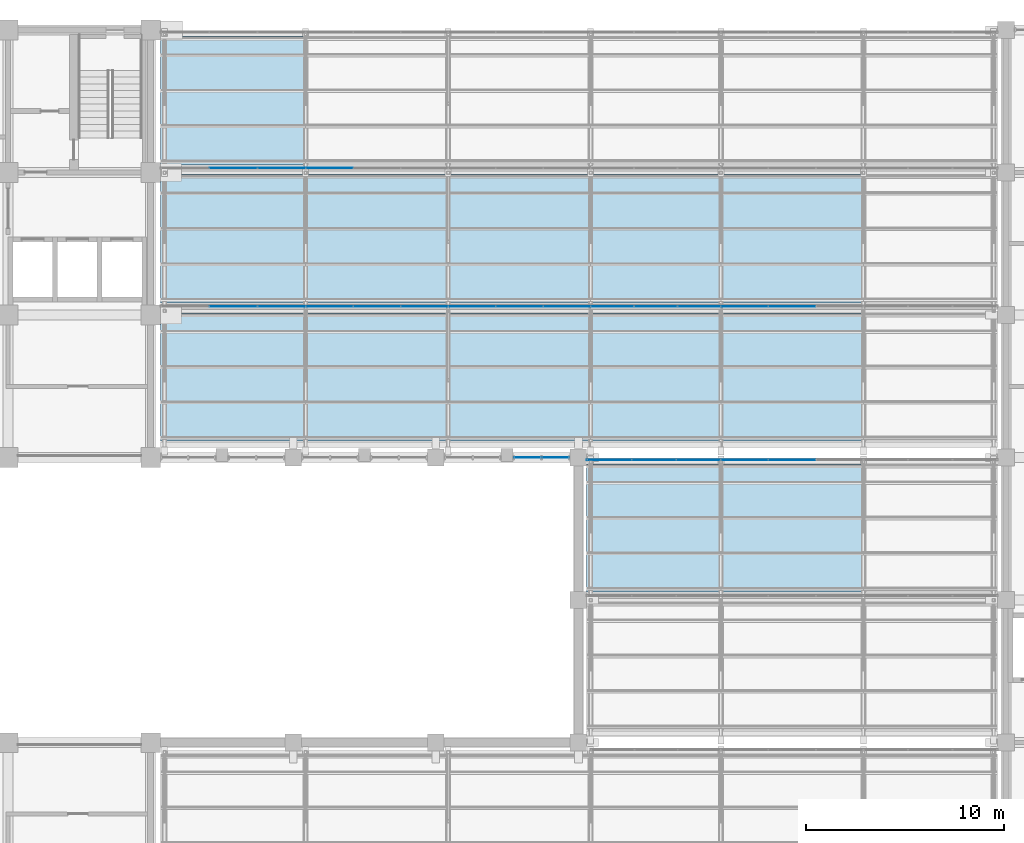
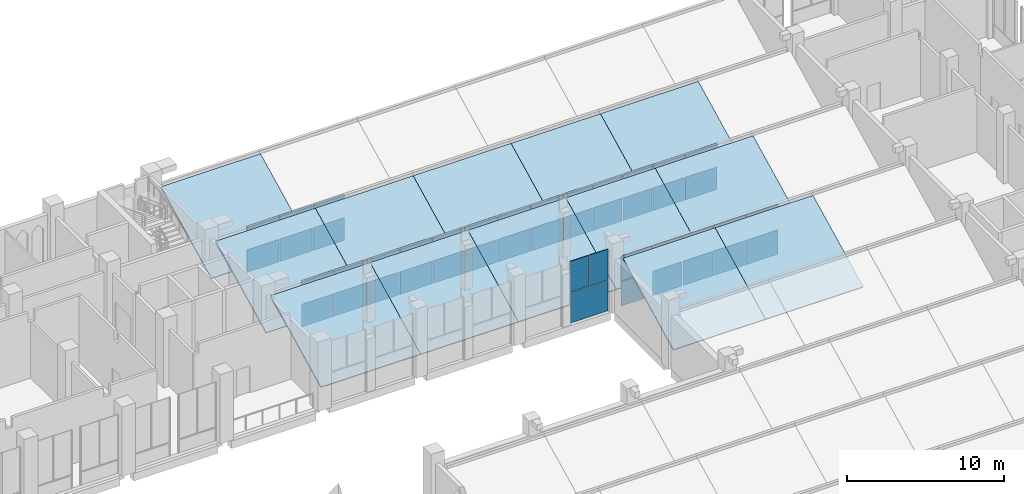
# One storey, part 64 of 83: 45 plates, 13 slabs, 10 elements without a shape of their own.
"""IFC4 building model written with IfcOpenShell, lengths in metres."""

import ifcopenshell
import ifcopenshell.guid

model = None  # the IFC model being written
_history = None  # IfcOwnerHistory: only IFC2X3 demands one
_inside = {}  # id of a spatial element -> (the spatial element, [elements in it])
_under = {}  # id of a project, library or spatial element -> (it, [spatial elements below it])
_declared = {}  # id of a project -> (the project, [libraries it declares])
_typed = {}  # id of a type object -> (the type object, [elements of that type])
_made_of = {}  # id of a material, layer set ... -> (it, [elements and type objects made of it])


def new_model(schema):
    """Start an empty IFC model of exactly this schema.

    Asked for "IFC4X3", IfcOpenShell would pick the latest addendum, in which some entities
    have other attributes; the version numbers below select the first issue.
    IFC2X3 requires an IfcOwnerHistory on every rooted entity: one is made here for all.
    """
    global model, _history
    if schema == "IFC4X3":
        model = ifcopenshell.file(schema_version=(4, 3, 0, 0))
    else:
        model = ifcopenshell.file(schema=schema)
    _inside.clear()
    _under.clear()
    _declared.clear()
    _typed.clear()
    _made_of.clear()
    _history = None
    if model.schema == "IFC2X3":
        org = make("IfcOrganization", Name="unknown")
        user = make(
            "IfcPersonAndOrganization",
            ThePerson=make("IfcPerson", FamilyName="unknown"),
            TheOrganization=org,
        )
        app = make(
            "IfcApplication",
            ApplicationDeveloper=org,
            Version="unknown",
            ApplicationFullName="unknown",
            ApplicationIdentifier="unknown",
        )
        _history = make(
            "IfcOwnerHistory",
            OwningUser=user,
            OwningApplication=app,
            ChangeAction="ADDED",
            CreationDate=0,
        )
    return model


def make(cls, **values):
    """One entity of the class cls with the attributes given. An attribute that is None is left unset."""
    return model.create_entity(
        cls, **{name: value for name, value in values.items() if value is not None}
    )


def rooted(cls, **values):
    """An entity with a GlobalId (a new one), such as an element, a storey or a relation."""
    return make(cls, GlobalId=ifcopenshell.guid.new(), OwnerHistory=_history, **values)


def si_unit(unit_type, name, prefix=None):
    """IfcSIUnit, for example si_unit("LENGTHUNIT", "METRE", prefix="MILLI")."""
    return make("IfcSIUnit", UnitType=unit_type, Prefix=prefix, Name=name)


def assignment(units):
    """IfcUnitAssignment: the units of a project."""
    return None if units is None else make("IfcUnitAssignment", Units=units)


def point(xyz):
    """IfcCartesianPoint."""
    return None if xyz is None else make("IfcCartesianPoint", Coordinates=xyz)


def direction(xyz):
    """IfcDirection."""
    return None if xyz is None else make("IfcDirection", DirectionRatios=xyz)


def frame(location, z_axis=None, x_axis=None):
    """IfcAxis2Placement3D, a coordinate frame: its origin and axes. An axis left out is left unset."""
    return make(
        "IfcAxis2Placement3D",
        Location=point(location),
        Axis=direction(z_axis),
        RefDirection=direction(x_axis),
    )


def frame_2d(location, x_axis=None):
    """IfcAxis2Placement2D, a coordinate frame in the plane: its origin and x axis."""
    return make(
        "IfcAxis2Placement2D", Location=point(location), RefDirection=direction(x_axis)
    )


def origin():
    """The frame at (0, 0, 0) with its axes left unset."""
    return frame((0.0, 0.0, 0.0))


def origin_2d():
    """The frame at (0, 0) in the plane with its x axis left unset."""
    return frame_2d((0.0, 0.0))


def place(relative_to, where):
    """IfcLocalPlacement: puts the frame where relative to a parent placement (None: the world)."""
    return make(
        "IfcLocalPlacement", PlacementRelTo=relative_to, RelativePlacement=where
    )


def context(
    kind, dimensions, precision=None, world=None, true_north=None, identifier=None
):
    """IfcGeometricRepresentationContext, for example the 3D "Model" context."""
    return make(
        "IfcGeometricRepresentationContext",
        ContextIdentifier=identifier,
        ContextType=kind,
        CoordinateSpaceDimension=dimensions,
        Precision=precision,
        WorldCoordinateSystem=world,
        TrueNorth=true_north,
    )


def subcontext(parent, identifier, kind, view, scale=None):
    """IfcGeometricRepresentationSubContext, for example "Body" below "Model"."""
    return make(
        "IfcGeometricRepresentationSubContext",
        ContextIdentifier=identifier,
        ContextType=kind,
        ParentContext=parent,
        TargetScale=scale,
        TargetView=view,
    )


def project(units=None, contexts=None):
    """IfcProject with its units and contexts."""
    return rooted(
        "IfcProject",
        Name="project",
        RepresentationContexts=contexts,
        UnitsInContext=assignment(units),
    )


def spatial(cls, under=None, at=None, **own):
    """A site, building, storey or space (cls), placed at a placement, below another one or the project."""
    s = rooted(cls, ObjectPlacement=at, **own)
    if under is not None:
        _under.setdefault(under.id(), (under, []))[1].append(s)
    return s


def polyline(points):
    """IfcPolyline through the points."""
    return make("IfcPolyline", Points=[point(p) for p in points])


def profile(cls, at=None, kind="AREA", **sizes):
    """A parametric profile (cls). Its sizes go by their IFC names, for example OverallWidth=200.0."""
    return make(cls, ProfileType=kind, Position=at, **sizes)


def rectangle(**sizes):
    """IfcRectangleProfileDef."""
    return profile("IfcRectangleProfileDef", **sizes)


def outline(outer, holes=None, kind="AREA"):
    """IfcArbitraryClosedProfileDef: a profile drawn as a closed curve; with holes, ...WithVoids."""
    if holes is None:
        return make("IfcArbitraryClosedProfileDef", ProfileType=kind, OuterCurve=outer)
    return make(
        "IfcArbitraryProfileDefWithVoids",
        ProfileType=kind,
        OuterCurve=outer,
        InnerCurves=holes,
    )


def extrude(swept, where, along, depth):
    """IfcExtrudedAreaSolid: the profile swept, set in the frame where, extruded along a direction by depth."""
    return make(
        "IfcExtrudedAreaSolid",
        SweptArea=swept,
        Position=where,
        ExtrudedDirection=direction(along),
        Depth=depth,
    )


def shape(context_of_items, identifier, shape_type, items):
    """IfcShapeRepresentation: the items that make up one representation, for example the "Body"."""
    return make(
        "IfcShapeRepresentation",
        ContextOfItems=context_of_items,
        RepresentationIdentifier=identifier,
        RepresentationType=shape_type,
        Items=items,
    )


def material(Name=None, Category=None):
    """IfcMaterial."""
    return make("IfcMaterial", Name=Name, Category=Category)


def layer(
    of_material, thickness, ventilated=None, Name=None, Category=None, Priority=None
):
    """IfcMaterialLayer: one layer of a wall or slab, of a material (None: an air gap)."""
    return make(
        "IfcMaterialLayer",
        Material=of_material,
        LayerThickness=thickness,
        IsVentilated=ventilated,
        Name=Name,
        Category=Category,
        Priority=Priority,
    )


def layer_set(layers, Name=None):
    """IfcMaterialLayerSet."""
    return make("IfcMaterialLayerSet", MaterialLayers=layers, LayerSetName=Name)


def made_of(thing, what):
    """Note that an element or type object is made of a material, layer set ...; save() writes the relation."""
    if what is not None:
        _made_of.setdefault(what.id(), (what, []))[1].append(thing)
    return thing


def type_object(cls, material=None, **own):
    """A type object (cls), such as IfcWallType, which elements share."""
    return made_of(rooted(cls, **own), material)


def element(
    cls,
    number,
    at=None,
    inside=None,
    cuts=None,
    type_object=None,
    material=None,
    context=None,
    identifier="Body",
    shape_type=None,
    held_by="IfcProductDefinitionShape",
    body=None,
    shapes=None,
    **own,
):
    """One element of the class cls, such as IfcWall. Its Tag is "e" and its number.

    at: its placement. inside: the storey or other place that contains it. cuts: it is an
    opening in that element (IfcRelVoidsElement). A single representation is given by context,
    identifier, shape_type and body (its items); several are given by shapes. held_by: the class
    of the entity that holds the representations. save() writes the other relations.
    """
    e = rooted(cls, Tag="e%d" % number, ObjectPlacement=at, **own)
    if body is not None:
        shapes = [shape(context, identifier, shape_type, body)]
    if shapes is not None:
        e.Representation = make(held_by, Representations=shapes)
    if inside is not None:
        _inside.setdefault(inside.id(), (inside, []))[1].append(e)
    if cuts is not None:
        rooted(
            "IfcRelVoidsElement", RelatingBuildingElement=cuts, RelatedOpeningElement=e
        )
    if type_object is not None:
        _typed.setdefault(type_object.id(), (type_object, []))[1].append(e)
    return made_of(e, material)


def aggregate(whole, parts):
    """IfcRelAggregates: a whole, such as a stair, and the parts it consists of."""
    return rooted("IfcRelAggregates", RelatingObject=whole, RelatedObjects=parts)


def save(model, path):
    """Write the relations noted so far, then the file.

    IfcRelAggregates (storeys below a building ...), IfcRelContainedInSpatialStructure (elements
    in a storey), IfcRelDefinesByType, IfcRelAssociatesMaterial and IfcRelDeclares: one each for
    every whole, place, type object, material and project.
    """
    for whole, parts in _under.values():
        aggregate(whole, parts)
    for where, things in _inside.values():
        rooted(
            "IfcRelContainedInSpatialStructure",
            RelatedElements=things,
            RelatingStructure=where,
        )
    for kind, things in _typed.values():
        rooted("IfcRelDefinesByType", RelatedObjects=things, RelatingType=kind)
    for what, things in _made_of.values():
        rooted("IfcRelAssociatesMaterial", RelatedObjects=things, RelatingMaterial=what)
    for by, libraries in _declared.values():
        rooted("IfcRelDeclares", RelatingContext=by, RelatedDefinitions=libraries)
    model.write(path)


model = new_model("IFC4")

# Units and contexts
model_context = context("Model", 3, precision=1e-05, world=origin(), true_north=direction((0.0, 1.0)))
body_context = subcontext(model_context, "Body", "Model", "MODEL_VIEW")
ifc_project = project(units=[si_unit("LENGTHUNIT", "METRE"), si_unit("AREAUNIT", "SQUARE_METRE"), si_unit("VOLUMEUNIT", "CUBIC_METRE"), si_unit("PLANEANGLEUNIT", "RADIAN"), si_unit("MASSUNIT", "GRAM", prefix="KILO")], contexts=[model_context])

# Site, building, storey
site_placement = place(None, origin())
site = spatial("IfcSite", under=ifc_project, at=site_placement, CompositionType="ELEMENT")
building_placement = place(site_placement, origin())
building = spatial("IfcBuilding", under=site, at=building_placement, Name="Silangan Lancet Faculty of Sciences", CompositionType="ELEMENT")
storey_placement = place(building_placement, frame((0.0, 0.0, 11.39990234375)))
storey = spatial("IfcBuildingStorey", under=building, at=storey_placement, Name="L02", CompositionType="ELEMENT", Elevation=11.39990234375)

# Curtain wall, plates
ifc_material_1 = material(Name="Aluminium framed curtain wall with insulated glass", Category="aluminium")
curtain_wall_type_1 = type_object("IfcCurtainWallType", Name="CW5 Nave north light glazing", PredefinedType="NOTDEFINED", material=ifc_material_1)
curtain_wall_1_placement = place(storey_placement, origin())
curtain_wall_1 = element("IfcCurtainWall", 1, at=curtain_wall_1_placement, inside=storey, type_object=curtain_wall_type_1, Name="CW5 Nave north lights L02 bay 1", PredefinedType="NOTDEFINED")
ifc_material_2 = material(Name="Insulated glass unit 8+16+8 low-emissivity", Category="glass")
ifc_layer_1 = layer(ifc_material_2, 0.031982421875)
ifc_layer_set_1 = layer_set([ifc_layer_1], Name="Insulated glass unit 8+16+8 low-emissivity")
plate_type_1 = type_object("IfcPlateType", Name="CP1 Panel vision glass 32", PredefinedType="CURTAIN_PANEL", material=ifc_layer_set_1)
plate_1_placement = place(storey_placement, frame((48.53759765625, 36.0, 0.0), z_axis=(0.0, 0.0, 1.0), x_axis=(-1.0, 0.0, 0.0)))
plate_1 = element("IfcPlate", 2, at=plate_1_placement, type_object=plate_type_1, Name="CW5 Nave north lights L02 bay 1 panel 1", PredefinedType="CURTAIN_PANEL", context=body_context, shape_type="SweptSolid", body=[
    extrude(rectangle(XDim=2.7548828125, YDim=0.031982421875, at=origin_2d()), origin(), (0.0, 0.0, 1.0), 2.340087890625),
])
plate_2_placement = place(storey_placement, frame((49.2412109375, 36.0, 2.400146484375), z_axis=(0.0, 0.0, 1.0), x_axis=(-1.0, 0.0, 0.0)))
plate_2 = element("IfcPlate", 3, at=plate_2_placement, type_object=plate_type_1, Name="CW5 Nave north lights L02 bay 1 panel 2", PredefinedType="CURTAIN_PANEL", context=body_context, shape_type="SweptSolid", body=[
    extrude(rectangle(XDim=1.347412109375, YDim=0.031982421875, at=origin_2d()), origin(), (0.0, 0.0, 1.0), 2.39990234375),
])
plate_3_placement = place(storey_placement, frame((47.833740234375, 36.0, 2.400146484375), z_axis=(0.0, 0.0, 1.0), x_axis=(-1.0, 0.0, 0.0)))
plate_3 = element("IfcPlate", 4, at=plate_3_placement, type_object=plate_type_1, Name="CW5 Nave north lights L02 bay 1 panel 3", PredefinedType="CURTAIN_PANEL", context=body_context, shape_type="SweptSolid", body=[
    extrude(rectangle(XDim=1.347412109375, YDim=0.031982421875, at=origin_2d()), origin(), (0.0, 0.0, 1.0), 2.39990234375),
])
aggregate(curtain_wall_1, [plate_1, plate_2, plate_3])

ifc_material_3 = material(Name="Aluminium and laminated glass", Category="aluminium")
curtain_wall_type_2 = type_object("IfcCurtainWallType", Name="North light glazing system", PredefinedType="NOTDEFINED", material=ifc_material_3)
curtain_wall_2_placement = place(storey_placement, origin())
curtain_wall_2 = element("IfcCurtainWall", 5, at=curtain_wall_2_placement, inside=storey, type_object=curtain_wall_type_2, Name="North light glazing NAB-1-4", PredefinedType="NOTDEFINED")
ifc_material_4 = material(Name="Laminated glass 12 + 12", Category="glass")
ifc_layer_2 = layer(ifc_material_4, 0.02392578125)
ifc_layer_set_2 = layer_set([ifc_layer_2], Name="Laminated glass 12 + 12")
plate_type_2 = type_object("IfcPlateType", Name="North light glass panel 2132x1773", PredefinedType="CURTAIN_PANEL", material=ifc_layer_set_2)
plate_4_placement = place(storey_placement, frame((51.054931640625, 43.61962890625, 0.4423828125), z_axis=(0.0, -1.0, 0.0), x_axis=(1.0, 0.0, 0.0)))
plate_4 = element("IfcPlate", 6, at=plate_4_placement, type_object=plate_type_2, Name="North light glass NAB-1-4 1-1", PredefinedType="CURTAIN_PANEL", context=body_context, shape_type="SweptSolid", body=[
    extrude(outline(polyline([(0.0, 0.0), (2.1318359375, 0.0), (2.1318359375, 1.77294921875), (0.0, 1.77294921875), (0.0, 0.0)])), origin(), (0.0, 0.0, -1.0), 0.02392578125),
])
plate_5_placement = place(storey_placement, frame((51.054931640625, 43.61962890625, 2.275390625), z_axis=(0.0, -1.0, 0.0), x_axis=(1.0, 0.0, 0.0)))
plate_5 = element("IfcPlate", 7, at=plate_5_placement, type_object=plate_type_2, Name="North light glass NAB-1-4 2-1", PredefinedType="CURTAIN_PANEL", context=body_context, shape_type="SweptSolid", body=[
    extrude(outline(polyline([(0.0, 0.0), (2.1318359375, 0.0), (2.1318359375, 1.77294921875), (0.0, 1.77294921875), (0.0, 0.0)])), origin(), (0.0, 0.0, -1.0), 0.02392578125),
])
plate_6_placement = place(storey_placement, frame((53.24658203125, 43.61962890625, 0.4423828125), z_axis=(0.0, -1.0, 0.0), x_axis=(1.0, 0.0, 0.0)))
plate_6 = element("IfcPlate", 8, at=plate_6_placement, type_object=plate_type_2, Name="North light glass NAB-1-4 1-2", PredefinedType="CURTAIN_PANEL", context=body_context, shape_type="SweptSolid", body=[
    extrude(outline(polyline([(0.0, 0.0), (2.1318359375, 0.0), (2.1318359375, 1.77294921875), (0.0, 1.77294921875), (0.0, 0.0)])), origin(), (0.0, 0.0, -1.0), 0.02392578125),
])
plate_7_placement = place(storey_placement, frame((53.24658203125, 43.61962890625, 2.275390625), z_axis=(0.0, -1.0, 0.0), x_axis=(1.0, 0.0, 0.0)))
plate_7 = element("IfcPlate", 9, at=plate_7_placement, type_object=plate_type_2, Name="North light glass NAB-1-4 2-2", PredefinedType="CURTAIN_PANEL", context=body_context, shape_type="SweptSolid", body=[
    extrude(outline(polyline([(0.0, 0.0), (2.1318359375, 0.0), (2.1318359375, 1.77294921875), (0.0, 1.77294921875), (0.0, 0.0)])), origin(), (0.0, 0.0, -1.0), 0.02392578125),
])
plate_8_placement = place(storey_placement, frame((55.438232421875, 43.61962890625, 0.4423828125), z_axis=(0.0, -1.0, 0.0), x_axis=(1.0, 0.0, 0.0)))
plate_8 = element("IfcPlate", 10, at=plate_8_placement, type_object=plate_type_2, Name="North light glass NAB-1-4 1-3", PredefinedType="CURTAIN_PANEL", context=body_context, shape_type="SweptSolid", body=[
    extrude(outline(polyline([(0.0, 0.0), (2.1318359375, 0.0), (2.1318359375, 1.77294921875), (0.0, 1.77294921875), (0.0, 0.0)])), origin(), (0.0, 0.0, -1.0), 0.02392578125),
])
plate_9_placement = place(storey_placement, frame((55.438232421875, 43.61962890625, 2.275390625), z_axis=(0.0, -1.0, 0.0), x_axis=(1.0, 0.0, 0.0)))
plate_9 = element("IfcPlate", 11, at=plate_9_placement, type_object=plate_type_2, Name="North light glass NAB-1-4 2-3", PredefinedType="CURTAIN_PANEL", context=body_context, shape_type="SweptSolid", body=[
    extrude(outline(polyline([(0.0, 0.0), (2.1318359375, 0.0), (2.1318359375, 1.77294921875), (0.0, 1.77294921875), (0.0, 0.0)])), origin(), (0.0, 0.0, -1.0), 0.02392578125),
])
aggregate(curtain_wall_2, [plate_4, plate_5, plate_6, plate_7, plate_8, plate_9])

curtain_wall_3_placement = place(storey_placement, origin())
curtain_wall_3 = element("IfcCurtainWall", 12, at=curtain_wall_3_placement, inside=storey, type_object=curtain_wall_type_2, Name="North light glazing AUD-2-1", PredefinedType="NOTDEFINED")
ifc_material_5 = material(Name="Laminated glass 12 + 12", Category="glass")
ifc_layer_3 = layer(ifc_material_5, 0.02392578125)
ifc_layer_set_3 = layer_set([ifc_layer_3], Name="Laminated glass 12 + 12")
plate_type_3 = type_object("IfcPlateType", Name="North light glass panel 2188x1914", PredefinedType="CURTAIN_PANEL", material=ifc_layer_set_3)
plate_10_placement = place(storey_placement, frame((53.13330078125, 35.873046875, 0.10009765625), z_axis=(0.0, -1.0, 0.0), x_axis=(1.0, 0.0, 0.0)))
plate_10 = element("IfcPlate", 13, at=plate_10_placement, type_object=plate_type_3, Name="North light glass AUD-2-1 1-2", PredefinedType="CURTAIN_PANEL", context=body_context, shape_type="SweptSolid", body=[
    extrude(outline(polyline([(0.0, 0.0), (2.1884765625, 0.0), (2.1884765625, 1.9140625), (0.0, 1.9140625), (0.0, 0.0)])), origin(), (0.0, 0.0, -1.0), 0.02392578125),
])
plate_11_placement = place(storey_placement, frame((53.13330078125, 35.873046875, 2.07421875), z_axis=(0.0, -1.0, 0.0), x_axis=(1.0, 0.0, 0.0)))
plate_11 = element("IfcPlate", 14, at=plate_11_placement, type_object=plate_type_3, Name="North light glass AUD-2-1 2-2", PredefinedType="CURTAIN_PANEL", context=body_context, shape_type="SweptSolid", body=[
    extrude(outline(polyline([(0.0, 0.0), (2.1884765625, 0.0), (2.1884765625, 1.913818359375), (0.0, 1.913818359375), (0.0, 0.0)])), origin(), (0.0, 0.0, -1.0), 0.02392578125),
])
plate_12_placement = place(storey_placement, frame((55.381591796875, 35.873046875, 0.10009765625), z_axis=(0.0, -1.0, 0.0), x_axis=(1.0, 0.0, 0.0)))
plate_12 = element("IfcPlate", 15, at=plate_12_placement, type_object=plate_type_3, Name="North light glass AUD-2-1 1-3", PredefinedType="CURTAIN_PANEL", context=body_context, shape_type="SweptSolid", body=[
    extrude(outline(polyline([(0.0, 0.0), (2.1884765625, 0.0), (2.1884765625, 1.9140625), (0.0, 1.9140625), (0.0, 0.0)])), origin(), (0.0, 0.0, -1.0), 0.02392578125),
])
plate_13_placement = place(storey_placement, frame((55.381591796875, 35.873046875, 2.07421875), z_axis=(0.0, -1.0, 0.0), x_axis=(1.0, 0.0, 0.0)))
plate_13 = element("IfcPlate", 16, at=plate_13_placement, type_object=plate_type_3, Name="North light glass AUD-2-1 2-3", PredefinedType="CURTAIN_PANEL", context=body_context, shape_type="SweptSolid", body=[
    extrude(outline(polyline([(0.0, 0.0), (2.1884765625, 0.0), (2.1884765625, 1.913818359375), (0.0, 1.913818359375), (0.0, 0.0)])), origin(), (0.0, 0.0, -1.0), 0.02392578125),
])
ifc_material_6 = material(Name="Laminated glass 12 + 12", Category="glass")
ifc_layer_4 = layer(ifc_material_6, 0.02392578125)
ifc_layer_set_4 = layer_set([ifc_layer_4], Name="Laminated glass 12 + 12")
plate_type_4 = type_object("IfcPlateType", Name="North light glass panel 2248x1914", PredefinedType="CURTAIN_PANEL", material=ifc_layer_set_4)
plate_14_placement = place(storey_placement, frame((50.824951171875, 35.873046875, 0.10009765625), z_axis=(0.0, -1.0, 0.0), x_axis=(1.0, 0.0, 0.0)))
plate_14 = element("IfcPlate", 17, at=plate_14_placement, type_object=plate_type_4, Name="North light glass AUD-2-1 1-1", PredefinedType="CURTAIN_PANEL", context=body_context, shape_type="SweptSolid", body=[
    extrude(outline(polyline([(0.0, 0.0), (2.248291015625, 0.0), (2.248291015625, 1.9140625), (0.0, 1.9140625), (0.0, 0.0)])), origin(), (0.0, 0.0, -1.0), 0.02392578125),
])
plate_15_placement = place(storey_placement, frame((50.824951171875, 35.873046875, 2.07421875), z_axis=(0.0, -1.0, 0.0), x_axis=(1.0, 0.0, 0.0)))
plate_15 = element("IfcPlate", 18, at=plate_15_placement, type_object=plate_type_4, Name="North light glass AUD-2-1 2-1", PredefinedType="CURTAIN_PANEL", context=body_context, shape_type="SweptSolid", body=[
    extrude(outline(polyline([(0.0, 0.0), (2.248291015625, 0.0), (2.248291015625, 1.913818359375), (0.0, 1.913818359375), (0.0, 0.0)])), origin(), (0.0, 0.0, -1.0), 0.02392578125),
])
aggregate(curtain_wall_3, [plate_14, plate_15, plate_10, plate_11, plate_12, plate_13])

curtain_wall_4_placement = place(storey_placement, origin())
curtain_wall_4 = element("IfcCurtainWall", 19, at=curtain_wall_4_placement, inside=storey, type_object=curtain_wall_type_2, Name="North light glazing NAB-1-2", PredefinedType="NOTDEFINED")
ifc_material_7 = material(Name="Laminated glass 12 + 12", Category="glass")
ifc_layer_5 = layer(ifc_material_7, 0.02392578125)
ifc_layer_set_5 = layer_set([ifc_layer_5], Name="Laminated glass 12 + 12")
plate_type_5 = type_object("IfcPlateType", Name="North light glass panel 2340x1773", PredefinedType="CURTAIN_PANEL", material=ifc_layer_set_5)
plate_16_placement = place(storey_placement, frame((36.655029296875, 43.61962890625, 0.4423828125), z_axis=(0.0, -1.0, 0.0), x_axis=(1.0, 0.0, 0.0)))
plate_16 = element("IfcPlate", 20, at=plate_16_placement, type_object=plate_type_5, Name="North light glass NAB-1-2 1-1", PredefinedType="CURTAIN_PANEL", context=body_context, shape_type="SweptSolid", body=[
    extrude(outline(polyline([(0.0, 0.0), (2.340087890625, 0.0), (2.340087890625, 1.77294921875), (0.0, 1.77294921875), (0.0, 0.0)])), origin(), (0.0, 0.0, -1.0), 0.02392578125),
])
plate_17_placement = place(storey_placement, frame((36.655029296875, 43.61962890625, 2.275390625), z_axis=(0.0, -1.0, 0.0), x_axis=(1.0, 0.0, 0.0)))
plate_17 = element("IfcPlate", 21, at=plate_17_placement, type_object=plate_type_5, Name="North light glass NAB-1-2 2-1", PredefinedType="CURTAIN_PANEL", context=body_context, shape_type="SweptSolid", body=[
    extrude(outline(polyline([(0.0, 0.0), (2.340087890625, 0.0), (2.340087890625, 1.77294921875), (0.0, 1.77294921875), (0.0, 0.0)])), origin(), (0.0, 0.0, -1.0), 0.02392578125),
])
plate_18_placement = place(storey_placement, frame((39.054931640625, 43.61962890625, 0.4423828125), z_axis=(0.0, -1.0, 0.0), x_axis=(1.0, 0.0, 0.0)))
plate_18 = element("IfcPlate", 22, at=plate_18_placement, type_object=plate_type_5, Name="North light glass NAB-1-2 1-2", PredefinedType="CURTAIN_PANEL", context=body_context, shape_type="SweptSolid", body=[
    extrude(outline(polyline([(0.0, 0.0), (2.340087890625, 0.0), (2.340087890625, 1.77294921875), (0.0, 1.77294921875), (0.0, 0.0)])), origin(), (0.0, 0.0, -1.0), 0.02392578125),
])
plate_19_placement = place(storey_placement, frame((39.054931640625, 43.61962890625, 2.275390625), z_axis=(0.0, -1.0, 0.0), x_axis=(1.0, 0.0, 0.0)))
plate_19 = element("IfcPlate", 23, at=plate_19_placement, type_object=plate_type_5, Name="North light glass NAB-1-2 2-2", PredefinedType="CURTAIN_PANEL", context=body_context, shape_type="SweptSolid", body=[
    extrude(outline(polyline([(0.0, 0.0), (2.340087890625, 0.0), (2.340087890625, 1.77294921875), (0.0, 1.77294921875), (0.0, 0.0)])), origin(), (0.0, 0.0, -1.0), 0.02392578125),
])
plate_20_placement = place(storey_placement, frame((41.455078125, 43.61962890625, 0.4423828125), z_axis=(0.0, -1.0, 0.0), x_axis=(1.0, 0.0, 0.0)))
plate_20 = element("IfcPlate", 24, at=plate_20_placement, type_object=plate_type_5, Name="North light glass NAB-1-2 1-3", PredefinedType="CURTAIN_PANEL", context=body_context, shape_type="SweptSolid", body=[
    extrude(outline(polyline([(0.0, 0.0), (2.33984375, 0.0), (2.33984375, 1.77294921875), (0.0, 1.77294921875), (0.0, 0.0)])), origin(), (0.0, 0.0, -1.0), 0.02392578125),
])
plate_21_placement = place(storey_placement, frame((41.455078125, 43.61962890625, 2.275390625), z_axis=(0.0, -1.0, 0.0), x_axis=(1.0, 0.0, 0.0)))
plate_21 = element("IfcPlate", 25, at=plate_21_placement, type_object=plate_type_5, Name="North light glass NAB-1-2 2-3", PredefinedType="CURTAIN_PANEL", context=body_context, shape_type="SweptSolid", body=[
    extrude(outline(polyline([(0.0, 0.0), (2.33984375, 0.0), (2.33984375, 1.77294921875), (0.0, 1.77294921875), (0.0, 0.0)])), origin(), (0.0, 0.0, -1.0), 0.02392578125),
])
aggregate(curtain_wall_4, [plate_16, plate_17, plate_18, plate_19, plate_20, plate_21])

curtain_wall_5_placement = place(storey_placement, origin())
curtain_wall_5 = element("IfcCurtainWall", 26, at=curtain_wall_5_placement, inside=storey, type_object=curtain_wall_type_2, Name="North light glazing NAB-2-2", PredefinedType="NOTDEFINED")
plate_22_placement = place(storey_placement, frame((36.655029296875, 50.601318359375, 0.4423828125), z_axis=(0.0, -1.0, 0.0), x_axis=(1.0, 0.0, 0.0)))
plate_22 = element("IfcPlate", 27, at=plate_22_placement, type_object=plate_type_5, Name="North light glass NAB-2-2 1-1", PredefinedType="CURTAIN_PANEL", context=body_context, shape_type="SweptSolid", body=[
    extrude(outline(polyline([(0.0, 0.0), (2.340087890625, 0.0), (2.340087890625, 1.77294921875), (0.0, 1.77294921875), (0.0, 0.0)])), origin(), (0.0, 0.0, -1.0), 0.02392578125),
])
plate_23_placement = place(storey_placement, frame((36.655029296875, 50.601318359375, 2.275390625), z_axis=(0.0, -1.0, 0.0), x_axis=(1.0, 0.0, 0.0)))
plate_23 = element("IfcPlate", 28, at=plate_23_placement, type_object=plate_type_5, Name="North light glass NAB-2-2 2-1", PredefinedType="CURTAIN_PANEL", context=body_context, shape_type="SweptSolid", body=[
    extrude(outline(polyline([(0.0, 0.0), (2.340087890625, 0.0), (2.340087890625, 1.77294921875), (0.0, 1.77294921875), (0.0, 0.0)])), origin(), (0.0, 0.0, -1.0), 0.02392578125),
])
aggregate(curtain_wall_5, [plate_22, plate_23])

curtain_wall_6_placement = place(storey_placement, origin())
curtain_wall_6 = element("IfcCurtainWall", 29, at=curtain_wall_6_placement, inside=storey, type_object=curtain_wall_type_2, Name="North light glazing NAB-1-3", PredefinedType="NOTDEFINED")
plate_24_placement = place(storey_placement, frame((43.85498046875, 43.61962890625, 0.4423828125), z_axis=(0.0, -1.0, 0.0), x_axis=(1.0, 0.0, 0.0)))
plate_24 = element("IfcPlate", 30, at=plate_24_placement, type_object=plate_type_5, Name="North light glass NAB-1-3 1-1", PredefinedType="CURTAIN_PANEL", context=body_context, shape_type="SweptSolid", body=[
    extrude(outline(polyline([(0.0, 0.0), (2.340087890625, 0.0), (2.340087890625, 1.77294921875), (0.0, 1.77294921875), (0.0, 0.0)])), origin(), (0.0, 0.0, -1.0), 0.02392578125),
])
plate_25_placement = place(storey_placement, frame((43.85498046875, 43.61962890625, 2.275390625), z_axis=(0.0, -1.0, 0.0), x_axis=(1.0, 0.0, 0.0)))
plate_25 = element("IfcPlate", 31, at=plate_25_placement, type_object=plate_type_5, Name="North light glass NAB-1-3 2-1", PredefinedType="CURTAIN_PANEL", context=body_context, shape_type="SweptSolid", body=[
    extrude(outline(polyline([(0.0, 0.0), (2.340087890625, 0.0), (2.340087890625, 1.77294921875), (0.0, 1.77294921875), (0.0, 0.0)])), origin(), (0.0, 0.0, -1.0), 0.02392578125),
])
plate_26_placement = place(storey_placement, frame((46.2548828125, 43.61962890625, 0.4423828125), z_axis=(0.0, -1.0, 0.0), x_axis=(1.0, 0.0, 0.0)))
plate_26 = element("IfcPlate", 32, at=plate_26_placement, type_object=plate_type_5, Name="North light glass NAB-1-3 1-2", PredefinedType="CURTAIN_PANEL", context=body_context, shape_type="SweptSolid", body=[
    extrude(outline(polyline([(0.0, 0.0), (2.340087890625, 0.0), (2.340087890625, 1.77294921875), (0.0, 1.77294921875), (0.0, 0.0)])), origin(), (0.0, 0.0, -1.0), 0.02392578125),
])
plate_27_placement = place(storey_placement, frame((46.2548828125, 43.61962890625, 2.275390625), z_axis=(0.0, -1.0, 0.0), x_axis=(1.0, 0.0, 0.0)))
plate_27 = element("IfcPlate", 33, at=plate_27_placement, type_object=plate_type_5, Name="North light glass NAB-1-3 2-2", PredefinedType="CURTAIN_PANEL", context=body_context, shape_type="SweptSolid", body=[
    extrude(outline(polyline([(0.0, 0.0), (2.340087890625, 0.0), (2.340087890625, 1.77294921875), (0.0, 1.77294921875), (0.0, 0.0)])), origin(), (0.0, 0.0, -1.0), 0.02392578125),
])
plate_28_placement = place(storey_placement, frame((48.655029296875, 43.61962890625, 0.4423828125), z_axis=(0.0, -1.0, 0.0), x_axis=(1.0, 0.0, 0.0)))
plate_28 = element("IfcPlate", 34, at=plate_28_placement, type_object=plate_type_5, Name="North light glass NAB-1-3 1-3", PredefinedType="CURTAIN_PANEL", context=body_context, shape_type="SweptSolid", body=[
    extrude(outline(polyline([(0.0, 0.0), (2.340087890625, 0.0), (2.340087890625, 1.77294921875), (0.0, 1.77294921875), (0.0, 0.0)])), origin(), (0.0, 0.0, -1.0), 0.02392578125),
])
plate_29_placement = place(storey_placement, frame((48.655029296875, 43.61962890625, 2.275390625), z_axis=(0.0, -1.0, 0.0), x_axis=(1.0, 0.0, 0.0)))
plate_29 = element("IfcPlate", 35, at=plate_29_placement, type_object=plate_type_5, Name="North light glass NAB-1-3 2-3", PredefinedType="CURTAIN_PANEL", context=body_context, shape_type="SweptSolid", body=[
    extrude(outline(polyline([(0.0, 0.0), (2.340087890625, 0.0), (2.340087890625, 1.77294921875), (0.0, 1.77294921875), (0.0, 0.0)])), origin(), (0.0, 0.0, -1.0), 0.02392578125),
])
aggregate(curtain_wall_6, [plate_24, plate_25, plate_26, plate_27, plate_28, plate_29])

curtain_wall_7_placement = place(storey_placement, origin())
curtain_wall_7 = element("IfcCurtainWall", 36, at=curtain_wall_7_placement, inside=storey, type_object=curtain_wall_type_2, Name="North light glazing NAB-1-5", PredefinedType="NOTDEFINED")
plate_30_placement = place(storey_placement, frame((57.6298828125, 43.61962890625, 0.4423828125), z_axis=(0.0, -1.0, 0.0), x_axis=(1.0, 0.0, 0.0)))
plate_30 = element("IfcPlate", 37, at=plate_30_placement, type_object=plate_type_5, Name="North light glass NAB-1-5 1-1", PredefinedType="CURTAIN_PANEL", context=body_context, shape_type="SweptSolid", body=[
    extrude(outline(polyline([(0.0, 0.0), (2.340087890625, 0.0), (2.340087890625, 1.77294921875), (0.0, 1.77294921875), (0.0, 0.0)])), origin(), (0.0, 0.0, -1.0), 0.02392578125),
])
plate_31_placement = place(storey_placement, frame((57.6298828125, 43.61962890625, 2.275390625), z_axis=(0.0, -1.0, 0.0), x_axis=(1.0, 0.0, 0.0)))
plate_31 = element("IfcPlate", 38, at=plate_31_placement, type_object=plate_type_5, Name="North light glass NAB-1-5 2-1", PredefinedType="CURTAIN_PANEL", context=body_context, shape_type="SweptSolid", body=[
    extrude(outline(polyline([(0.0, 0.0), (2.340087890625, 0.0), (2.340087890625, 1.77294921875), (0.0, 1.77294921875), (0.0, 0.0)])), origin(), (0.0, 0.0, -1.0), 0.02392578125),
])
plate_32_placement = place(storey_placement, frame((60.030029296875, 43.61962890625, 0.4423828125), z_axis=(0.0, -1.0, 0.0), x_axis=(1.0, 0.0, 0.0)))
plate_32 = element("IfcPlate", 39, at=plate_32_placement, type_object=plate_type_5, Name="North light glass NAB-1-5 1-2", PredefinedType="CURTAIN_PANEL", context=body_context, shape_type="SweptSolid", body=[
    extrude(outline(polyline([(0.0, 0.0), (2.340087890625, 0.0), (2.340087890625, 1.77294921875), (0.0, 1.77294921875), (0.0, 0.0)])), origin(), (0.0, 0.0, -1.0), 0.02392578125),
])
plate_33_placement = place(storey_placement, frame((60.030029296875, 43.61962890625, 2.275390625), z_axis=(0.0, -1.0, 0.0), x_axis=(1.0, 0.0, 0.0)))
plate_33 = element("IfcPlate", 40, at=plate_33_placement, type_object=plate_type_5, Name="North light glass NAB-1-5 2-2", PredefinedType="CURTAIN_PANEL", context=body_context, shape_type="SweptSolid", body=[
    extrude(outline(polyline([(0.0, 0.0), (2.340087890625, 0.0), (2.340087890625, 1.77294921875), (0.0, 1.77294921875), (0.0, 0.0)])), origin(), (0.0, 0.0, -1.0), 0.02392578125),
])
aggregate(curtain_wall_7, [plate_30, plate_31, plate_32, plate_33])

curtain_wall_8_placement = place(storey_placement, origin())
curtain_wall_8 = element("IfcCurtainWall", 41, at=curtain_wall_8_placement, inside=storey, type_object=curtain_wall_type_2, Name="North light glazing AUD-2-2", PredefinedType="NOTDEFINED")
ifc_material_8 = material(Name="Laminated glass 12 + 12", Category="glass")
ifc_layer_6 = layer(ifc_material_8, 0.02392578125)
ifc_layer_set_6 = layer_set([ifc_layer_6], Name="Laminated glass 12 + 12")
plate_type_6 = type_object("IfcPlateType", Name="North light glass panel 2340x1914", PredefinedType="CURTAIN_PANEL", material=ifc_layer_set_6)
plate_34_placement = place(storey_placement, frame((57.6298828125, 35.873046875, 0.10009765625), z_axis=(0.0, -1.0, 0.0), x_axis=(1.0, 0.0, 0.0)))
plate_34 = element("IfcPlate", 42, at=plate_34_placement, type_object=plate_type_6, Name="North light glass AUD-2-2 1-1", PredefinedType="CURTAIN_PANEL", context=body_context, shape_type="SweptSolid", body=[
    extrude(outline(polyline([(0.0, 0.0), (2.340087890625, 0.0), (2.340087890625, 1.9140625), (0.0, 1.9140625), (0.0, 0.0)])), origin(), (0.0, 0.0, -1.0), 0.02392578125),
])
plate_35_placement = place(storey_placement, frame((57.6298828125, 35.873046875, 2.07421875), z_axis=(0.0, -1.0, 0.0), x_axis=(1.0, 0.0, 0.0)))
plate_35 = element("IfcPlate", 43, at=plate_35_placement, type_object=plate_type_6, Name="North light glass AUD-2-2 2-1", PredefinedType="CURTAIN_PANEL", context=body_context, shape_type="SweptSolid", body=[
    extrude(outline(polyline([(0.0, 0.0), (2.340087890625, 0.0), (2.340087890625, 1.913818359375), (0.0, 1.913818359375), (0.0, 0.0)])), origin(), (0.0, 0.0, -1.0), 0.02392578125),
])
plate_36_placement = place(storey_placement, frame((60.030029296875, 35.873046875, 0.10009765625), z_axis=(0.0, -1.0, 0.0), x_axis=(1.0, 0.0, 0.0)))
plate_36 = element("IfcPlate", 44, at=plate_36_placement, type_object=plate_type_6, Name="North light glass AUD-2-2 1-2", PredefinedType="CURTAIN_PANEL", context=body_context, shape_type="SweptSolid", body=[
    extrude(outline(polyline([(0.0, 0.0), (2.340087890625, 0.0), (2.340087890625, 1.9140625), (0.0, 1.9140625), (0.0, 0.0)])), origin(), (0.0, 0.0, -1.0), 0.02392578125),
])
plate_37_placement = place(storey_placement, frame((60.030029296875, 35.873046875, 2.07421875), z_axis=(0.0, -1.0, 0.0), x_axis=(1.0, 0.0, 0.0)))
plate_37 = element("IfcPlate", 45, at=plate_37_placement, type_object=plate_type_6, Name="North light glass AUD-2-2 2-2", PredefinedType="CURTAIN_PANEL", context=body_context, shape_type="SweptSolid", body=[
    extrude(outline(polyline([(0.0, 0.0), (2.340087890625, 0.0), (2.340087890625, 1.913818359375), (0.0, 1.913818359375), (0.0, 0.0)])), origin(), (0.0, 0.0, -1.0), 0.02392578125),
])
aggregate(curtain_wall_8, [plate_34, plate_35, plate_36, plate_37])

curtain_wall_9_placement = place(storey_placement, origin())
curtain_wall_9 = element("IfcCurtainWall", 46, at=curtain_wall_9_placement, inside=storey, type_object=curtain_wall_type_2, Name="North light glazing NAB-1-1", PredefinedType="NOTDEFINED")
ifc_material_9 = material(Name="Laminated glass 12 + 12", Category="glass")
ifc_layer_7 = layer(ifc_material_9, 0.02392578125)
ifc_layer_set_7 = layer_set([ifc_layer_7], Name="Laminated glass 12 + 12")
plate_type_7 = type_object("IfcPlateType", Name="North light glass panel 2372x1773", PredefinedType="CURTAIN_PANEL", material=ifc_layer_set_7)
plate_38_placement = place(storey_placement, frame((31.791748046875, 43.61962890625, 0.4423828125), z_axis=(0.0, -1.0, 0.0), x_axis=(1.0, 0.0, 0.0)))
plate_38 = element("IfcPlate", 47, at=plate_38_placement, type_object=plate_type_7, Name="North light glass NAB-1-1 1-2", PredefinedType="CURTAIN_PANEL", context=body_context, shape_type="SweptSolid", body=[
    extrude(outline(polyline([(0.0, 0.0), (2.37158203125, 0.0), (2.37158203125, 1.77294921875), (0.0, 1.77294921875), (0.0, 0.0)])), origin(), (0.0, 0.0, -1.0), 0.02392578125),
])
plate_39_placement = place(storey_placement, frame((31.791748046875, 43.61962890625, 2.275390625), z_axis=(0.0, -1.0, 0.0), x_axis=(1.0, 0.0, 0.0)))
plate_39 = element("IfcPlate", 48, at=plate_39_placement, type_object=plate_type_7, Name="North light glass NAB-1-1 2-2", PredefinedType="CURTAIN_PANEL", context=body_context, shape_type="SweptSolid", body=[
    extrude(outline(polyline([(0.0, 0.0), (2.37158203125, 0.0), (2.37158203125, 1.77294921875), (0.0, 1.77294921875), (0.0, 0.0)])), origin(), (0.0, 0.0, -1.0), 0.02392578125),
])
plate_40_placement = place(storey_placement, frame((34.223388671875, 43.61962890625, 0.4423828125), z_axis=(0.0, -1.0, 0.0), x_axis=(1.0, 0.0, 0.0)))
plate_40 = element("IfcPlate", 49, at=plate_40_placement, type_object=plate_type_7, Name="North light glass NAB-1-1 1-3", PredefinedType="CURTAIN_PANEL", context=body_context, shape_type="SweptSolid", body=[
    extrude(outline(polyline([(0.0, 0.0), (2.37158203125, 0.0), (2.37158203125, 1.77294921875), (0.0, 1.77294921875), (0.0, 0.0)])), origin(), (0.0, 0.0, -1.0), 0.02392578125),
])
plate_41_placement = place(storey_placement, frame((34.223388671875, 43.61962890625, 2.275390625), z_axis=(0.0, -1.0, 0.0), x_axis=(1.0, 0.0, 0.0)))
plate_41 = element("IfcPlate", 50, at=plate_41_placement, type_object=plate_type_7, Name="North light glass NAB-1-1 2-3", PredefinedType="CURTAIN_PANEL", context=body_context, shape_type="SweptSolid", body=[
    extrude(outline(polyline([(0.0, 0.0), (2.37158203125, 0.0), (2.37158203125, 1.77294921875), (0.0, 1.77294921875), (0.0, 0.0)])), origin(), (0.0, 0.0, -1.0), 0.02392578125),
])
aggregate(curtain_wall_9, [plate_38, plate_39, plate_40, plate_41])

curtain_wall_10_placement = place(storey_placement, origin())
curtain_wall_10 = element("IfcCurtainWall", 51, at=curtain_wall_10_placement, inside=storey, type_object=curtain_wall_type_2, Name="North light glazing NAB-2-1", PredefinedType="NOTDEFINED")
plate_42_placement = place(storey_placement, frame((31.791748046875, 50.601318359375, 0.4423828125), z_axis=(0.0, -1.0, 0.0), x_axis=(1.0, 0.0, 0.0)))
plate_42 = element("IfcPlate", 52, at=plate_42_placement, type_object=plate_type_7, Name="North light glass NAB-2-1 1-2", PredefinedType="CURTAIN_PANEL", context=body_context, shape_type="SweptSolid", body=[
    extrude(outline(polyline([(0.0, 0.0), (2.37158203125, 0.0), (2.37158203125, 1.77294921875), (0.0, 1.77294921875), (0.0, 0.0)])), origin(), (0.0, 0.0, -1.0), 0.02392578125),
])
plate_43_placement = place(storey_placement, frame((31.791748046875, 50.601318359375, 2.275390625), z_axis=(0.0, -1.0, 0.0), x_axis=(1.0, 0.0, 0.0)))
plate_43 = element("IfcPlate", 53, at=plate_43_placement, type_object=plate_type_7, Name="North light glass NAB-2-1 2-2", PredefinedType="CURTAIN_PANEL", context=body_context, shape_type="SweptSolid", body=[
    extrude(outline(polyline([(0.0, 0.0), (2.37158203125, 0.0), (2.37158203125, 1.77294921875), (0.0, 1.77294921875), (0.0, 0.0)])), origin(), (0.0, 0.0, -1.0), 0.02392578125),
])
plate_44_placement = place(storey_placement, frame((34.223388671875, 50.601318359375, 0.4423828125), z_axis=(0.0, -1.0, 0.0), x_axis=(1.0, 0.0, 0.0)))
plate_44 = element("IfcPlate", 54, at=plate_44_placement, type_object=plate_type_7, Name="North light glass NAB-2-1 1-3", PredefinedType="CURTAIN_PANEL", context=body_context, shape_type="SweptSolid", body=[
    extrude(outline(polyline([(0.0, 0.0), (2.37158203125, 0.0), (2.37158203125, 1.77294921875), (0.0, 1.77294921875), (0.0, 0.0)])), origin(), (0.0, 0.0, -1.0), 0.02392578125),
])
plate_45_placement = place(storey_placement, frame((34.223388671875, 50.601318359375, 2.275390625), z_axis=(0.0, -1.0, 0.0), x_axis=(1.0, 0.0, 0.0)))
plate_45 = element("IfcPlate", 55, at=plate_45_placement, type_object=plate_type_7, Name="North light glass NAB-2-1 2-3", PredefinedType="CURTAIN_PANEL", context=body_context, shape_type="SweptSolid", body=[
    extrude(outline(polyline([(0.0, 0.0), (2.37158203125, 0.0), (2.37158203125, 1.77294921875), (0.0, 1.77294921875), (0.0, 0.0)])), origin(), (0.0, 0.0, -1.0), 0.02392578125),
])
aggregate(curtain_wall_10, [plate_42, plate_43, plate_44, plate_45])

# Slabs
ifc_material_10 = material(Name="Insulated cold-formed steel roof sheeting", Category="steel")
ifc_layer_8 = layer(ifc_material_10, 0.10009765625)
ifc_layer_set_8 = layer_set([ifc_layer_8], Name="Insulated cold-formed steel roof sheeting")
slab_type = type_object("IfcSlabType", Name="Roof sheeting panel 100", PredefinedType="ROOF", material=ifc_layer_set_8)
for number, where, z_axis, x_axis, name in (
    (56, (29.300048828125, 36.824951171875, 0.770263671875), (0.0, -0.4472135955, 0.894427191), (1.0, 0.0, 0.0), "Roof sheeting NAB-1-1"),
    (57, (29.300048828125, 43.806640625, 0.770263671875), (0.0, -0.4472135955, 0.894427191), (1.0, 0.0, 0.0), "Roof sheeting NAB-2-1"),
    (58, (29.300048828125, 50.788330078125, 0.770263671875), (0.0, -0.4472135955, 0.894427191), (1.0, 0.0, 0.0), "Roof sheeting NAB-3-1"),
):
    element("IfcSlab", number, at=place(storey_placement, frame(where, z_axis=z_axis, x_axis=x_axis)), inside=storey, type_object=slab_type, Name=name, PredefinedType="ROOF", context=body_context, shape_type="SweptSolid", body=[
        extrude(outline(polyline([(0.0, 0.0), (7.324951171875, 0.0), (7.324951171875, 7.1967978875438785), (0.0, 7.1967978875438785), (0.0, 0.0)])), origin(), (0.0, 0.0, -1.0), 0.10009765625),
    ])
for number, where, z_axis, x_axis, name in (
    (59, (36.625, 36.824951171875, 0.770263671875), (0.0, -0.4472135955, 0.894427191), (1.0, 0.0, 0.0), "Roof sheeting NAB-1-2"),
    (60, (36.625, 43.806640625, 0.770263671875), (0.0, -0.4472135955, 0.894427191), (1.0, 0.0, 0.0), "Roof sheeting NAB-2-2"),
    (61, (43.824951171875, 36.824951171875, 0.770263671875), (0.0, -0.4472135955, 0.894427191), (1.0, 0.0, 0.0), "Roof sheeting NAB-1-3"),
    (62, (43.824951171875, 43.806640625, 0.770263671875), (0.0, -0.4472135955, 0.894427191), (1.0, 0.0, 0.0), "Roof sheeting NAB-2-3"),
):
    element("IfcSlab", number, at=place(storey_placement, frame(where, z_axis=z_axis, x_axis=x_axis)), inside=storey, type_object=slab_type, Name=name, PredefinedType="ROOF", context=body_context, shape_type="SweptSolid", body=[
        extrude(outline(polyline([(0.0, 0.0), (7.199951171875, 0.0), (7.199951171875, 7.1967978875438785), (0.0, 7.1967978875438785), (0.0, 0.0)])), origin(), (0.0, 0.0, -1.0), 0.10009765625),
    ])
for number, where, z_axis, x_axis, name in (
    (63, (51.02490234375, 36.824951171875, 0.770263671875), (0.0, -0.4472135955, 0.894427191), (1.0, 0.0, 0.0), "Roof sheeting NAB-1-4"),
    (64, (51.02490234375, 43.806640625, 0.770263671875), (0.0, -0.4472135955, 0.894427191), (1.0, 0.0, 0.0), "Roof sheeting NAB-2-4"),
):
    element("IfcSlab", number, at=place(storey_placement, frame(where, z_axis=z_axis, x_axis=x_axis)), inside=storey, type_object=slab_type, Name=name, PredefinedType="ROOF", context=body_context, shape_type="SweptSolid", body=[
        extrude(outline(polyline([(0.0, 0.0), (6.5751953125, 0.0), (6.5751953125, 7.1967978875438785), (0.0, 7.1967978875438785), (0.0, 0.0)])), origin(), (0.0, 0.0, -1.0), 0.10009765625),
    ])
for number, where, z_axis, x_axis, name in (
    (65, (57.60009765625, 36.824951171875, 0.770263671875), (0.0, -0.4472135955, 0.894427191), (1.0, 0.0, 0.0), "Roof sheeting NAB-1-5"),
    (66, (57.60009765625, 43.806640625, 0.770263671875), (0.0, -0.4472135955, 0.894427191), (1.0, 0.0, 0.0), "Roof sheeting NAB-2-5"),
):
    element("IfcSlab", number, at=place(storey_placement, frame(where, z_axis=z_axis, x_axis=x_axis)), inside=storey, type_object=slab_type, Name=name, PredefinedType="ROOF", context=body_context, shape_type="SweptSolid", body=[
        extrude(outline(polyline([(0.0, 0.0), (7.199951171875, 0.0), (7.199951171875, 7.1967978875438785), (0.0, 7.1967978875438785), (0.0, 0.0)])), origin(), (0.0, 0.0, -1.0), 0.10009765625),
    ])
slab_1_placement = place(storey_placement, frame((50.824951171875, 29.199951171875, 0.770263671875), z_axis=(0.0, -0.4472135955, 0.894427191), x_axis=(1.0, 0.0, 0.0)))
element("IfcSlab", 67, at=slab_1_placement, inside=storey, type_object=slab_type, Name="Roof sheeting AUD-2-1", PredefinedType="ROOF", context=body_context, shape_type="SweptSolid", body=[
    extrude(outline(polyline([(0.0, 0.0), (6.775146484375, 0.0), (6.775146484375, 7.183695926738216), (0.0, 7.183695926738216), (0.0, 0.0)])), origin(), (0.0, 0.0, -1.0), 0.10009765625),
])
slab_2_placement = place(storey_placement, frame((57.60009765625, 29.199951171875, 0.770263671875), z_axis=(0.0, -0.4472135955, 0.894427191), x_axis=(1.0, 0.0, 0.0)))
element("IfcSlab", 68, at=slab_2_placement, inside=storey, type_object=slab_type, Name="Roof sheeting AUD-2-2", PredefinedType="ROOF", context=body_context, shape_type="SweptSolid", body=[
    extrude(outline(polyline([(0.0, 0.0), (7.199951171875, 0.0), (7.199951171875, 7.183695926738216), (0.0, 7.183695926738216), (0.0, 0.0)])), origin(), (0.0, 0.0, -1.0), 0.10009765625),
])

save(model, "model.ifc")
